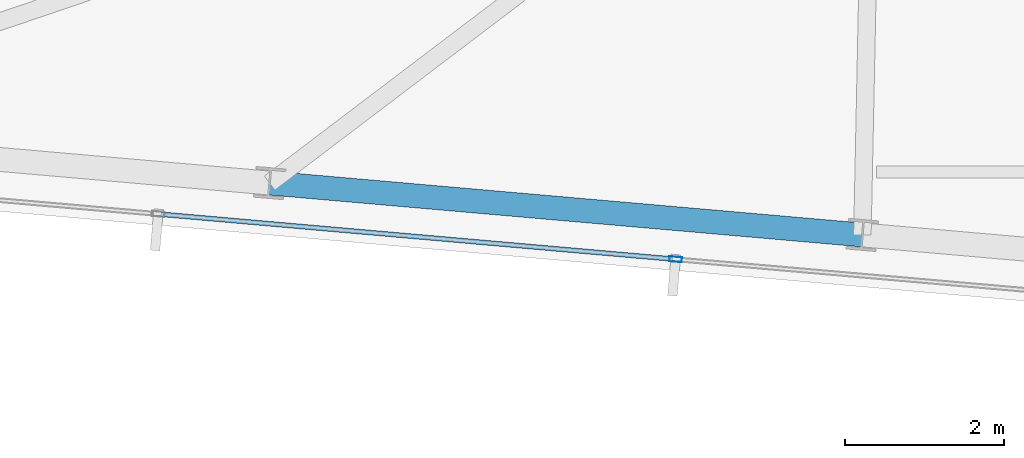
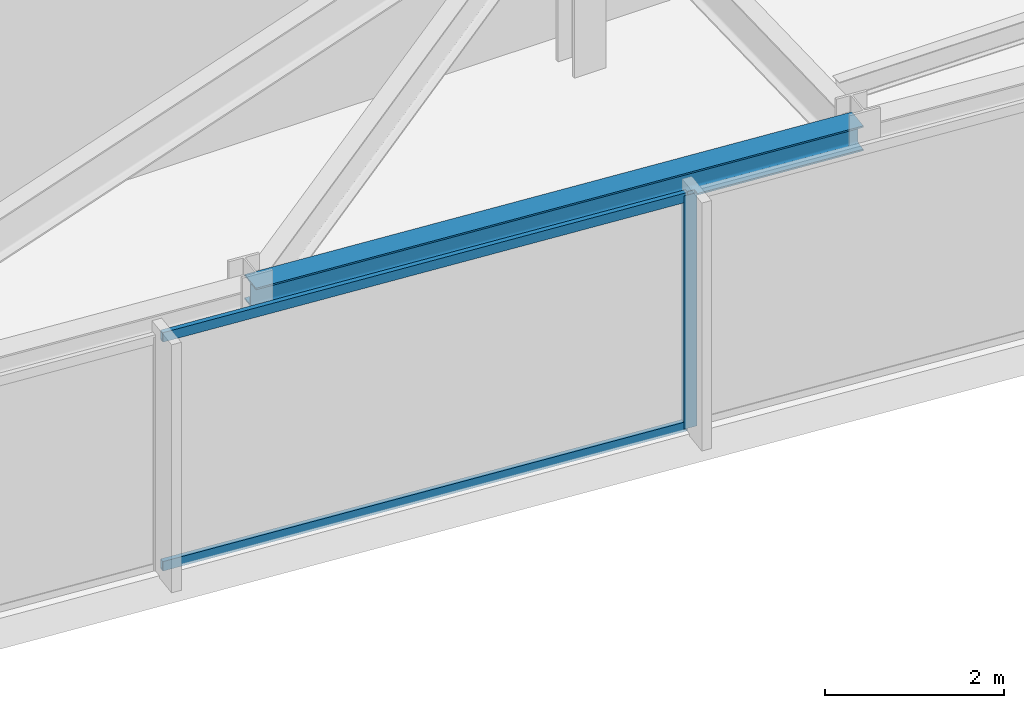
# One storey, part 3 of 32: 3 members, 1 beam, 1 element without a shape of its own.
"""IFC4 building model written with IfcOpenShell, lengths in metres."""

from ifc_helpers import new_model, si_unit, direction, frame, origin, origin_2d, place, context, subcontext, project, spatial, hollow_rectangle, i_section, extrude, material, material_profile, profile_set, type_object, element, aggregate, save


model = new_model("IFC4")

# Units and contexts
model_context = context("Model", 3, precision=1e-05, world=origin(), true_north=direction((0.0, 1.0)))
body_context = subcontext(model_context, "Body", "Model", "MODEL_VIEW")
ifc_project = project(units=[si_unit("LENGTHUNIT", "METRE"), si_unit("AREAUNIT", "SQUARE_METRE"), si_unit("VOLUMEUNIT", "CUBIC_METRE"), si_unit("PLANEANGLEUNIT", "RADIAN"), si_unit("MASSUNIT", "GRAM", prefix="KILO")], contexts=[model_context])

# Site, building, storey
site_placement = place(None, origin())
site = spatial("IfcSite", under=ifc_project, at=site_placement, CompositionType="ELEMENT")
building_placement = place(site_placement, origin())
building = spatial("IfcBuilding", under=site, at=building_placement, Name="Yelkora Congress Tower", CompositionType="ELEMENT")
storey_placement = place(building_placement, frame((0.0, 0.0, 259.10009765625)))
storey = spatial("IfcBuildingStorey", under=building, at=storey_placement, Name="L72", CompositionType="ELEMENT", Elevation=259.10009765625)

# Beam
ifc_material_1 = material(Name="Steel S355J2", Category="steel")
ifc_material_profile_1 = material_profile(ifc_material_1, i_section(OverallWidth=0.300048828125, OverallDepth=0.340087890625, WebThickness=0.011962890625, FlangeThickness=0.021484375, FilletRadius=0.027099609375, at=origin_2d()), Name="HEB 340")
ifc_profile_set_1 = profile_set([ifc_material_profile_1], Name="Steel S355J2")
beam_type = type_object("IfcBeamType", Name="BM-SPAN-HEB340", PredefinedType="SPANDREL", material=ifc_profile_set_1)
beam_placement = place(storey_placement, frame((15.452880859375, 19.445556640625, 3.010009765625), z_axis=(0.996193186297, -0.08717302092, 0.0), x_axis=(0.08717302092, 0.996193186297, 0.0)))
element("IfcBeam", 1, at=beam_placement, inside=storey, type_object=beam_type, Name="L72 Perimeter Beam 2", PredefinedType="SPANDREL", context=body_context, shape_type="SweptSolid", body=[
    extrude(i_section(OverallWidth=0.300048828125, OverallDepth=0.340087890625, WebThickness=0.011962890625, FlangeThickness=0.021484375, FilletRadius=0.027099609375, at=origin_2d()), origin(), (0.0, 0.0, 1.0), 7.4833984375),
])

# Curtain wall, members
ifc_material_2 = material(Name="Anodised aluminium and insulated glass", Category="aluminium")
curtain_wall_type = type_object("IfcCurtainWallType", Name="CW-SYS-B5", PredefinedType="NOTDEFINED", material=ifc_material_2)
curtain_wall_placement = place(storey_placement, origin())
curtain_wall = element("IfcCurtainWall", 2, at=curtain_wall_placement, inside=storey, type_object=curtain_wall_type, Name="L72 Unitised Curtain Wall 20", PredefinedType="NOTDEFINED")
ifc_material_3 = material(Name="Anodised aluminium 6063-T6", Category="aluminium")
ifc_material_profile_2 = material_profile(ifc_material_3, hollow_rectangle(XDim=0.06494140625, YDim=0.159912109375, WallThickness=0.00390625, at=origin_2d()), Name="ALU 65x160x4")
ifc_profile_set_2 = profile_set([ifc_material_profile_2], Name="Anodised aluminium 6063-T6")
member_type_1 = type_object("IfcMemberType", Name="MEM-ML-B5", PredefinedType="MULLION", material=ifc_profile_set_2)
member_1_placement = place(storey_placement, frame((20.558349609375, 18.487060546875, 0.0), z_axis=(0.0, 0.0, 1.0), x_axis=(-0.087156829793, -0.996194602987, 0.0)))
member_1 = element("IfcMember", 3, at=member_1_placement, type_object=member_type_1, Name="CW-B5 mullion 6", PredefinedType="MULLION", context=body_context, shape_type="SweptSolid", body=[
    extrude(hollow_rectangle(XDim=0.06494140625, YDim=0.159912109375, WallThickness=0.00390625, at=origin_2d()), origin(), (0.0, 0.0, 1.0), 3.179931640625),
])
ifc_material_profile_3 = material_profile(ifc_material_3, hollow_rectangle(XDim=0.06005859375, YDim=0.1298828125, WallThickness=0.00390625, at=origin_2d()), Name="ALU 60x130x4")
ifc_profile_set_3 = profile_set([ifc_material_profile_3], Name="Anodised aluminium 6063-T6")
member_type_2 = type_object("IfcMemberType", Name="MEM-TR-B5", PredefinedType="USERDEFINED", material=ifc_profile_set_3)
member_2_placement = place(storey_placement, frame((20.52587890625, 18.48974609375, 0.02978515625), z_axis=(-0.99619269288, 0.087178659385, 0.0), x_axis=(-0.087178659385, -0.99619269288, 0.0)))
member_2 = element("IfcMember", 4, at=member_2_placement, type_object=member_type_2, Name="CW-B5 transom 6.1", ObjectType="TRANSOM", PredefinedType="USERDEFINED", context=body_context, shape_type="SweptSolid", body=[
    extrude(hollow_rectangle(XDim=0.06005859375, YDim=0.1298828125, WallThickness=0.00390625, at=origin_2d()), origin(), (0.0, 0.0, 1.0), 6.46630859375),
])
member_3_placement = place(storey_placement, frame((20.52587890625, 18.48974609375, 3.14990234375), z_axis=(-0.99619269288, 0.087178659385, 0.0), x_axis=(-0.087178659385, -0.99619269288, 0.0)))
member_3 = element("IfcMember", 5, at=member_3_placement, type_object=member_type_2, Name="CW-B5 transom 6.2", ObjectType="TRANSOM", PredefinedType="USERDEFINED", context=body_context, shape_type="SweptSolid", body=[
    extrude(hollow_rectangle(XDim=0.06005859375, YDim=0.1298828125, WallThickness=0.00390625, at=origin_2d()), origin(), (0.0, 0.0, 1.0), 6.46630859375),
])
aggregate(curtain_wall, [member_1, member_2, member_3])

save(model, "model.ifc")
